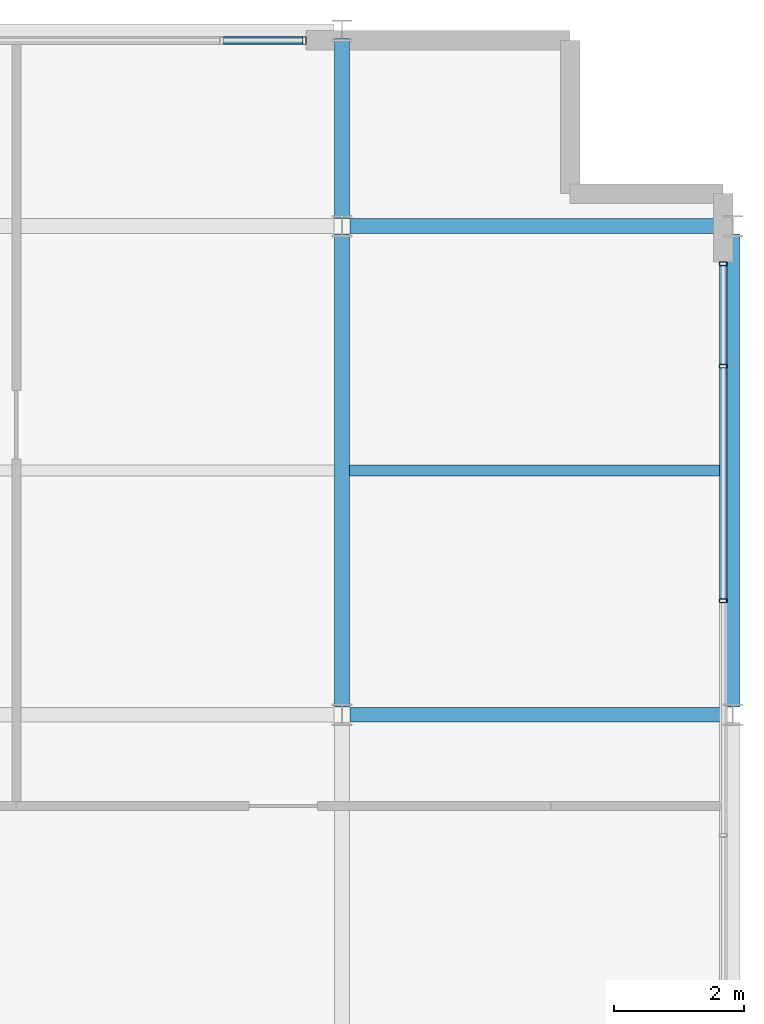
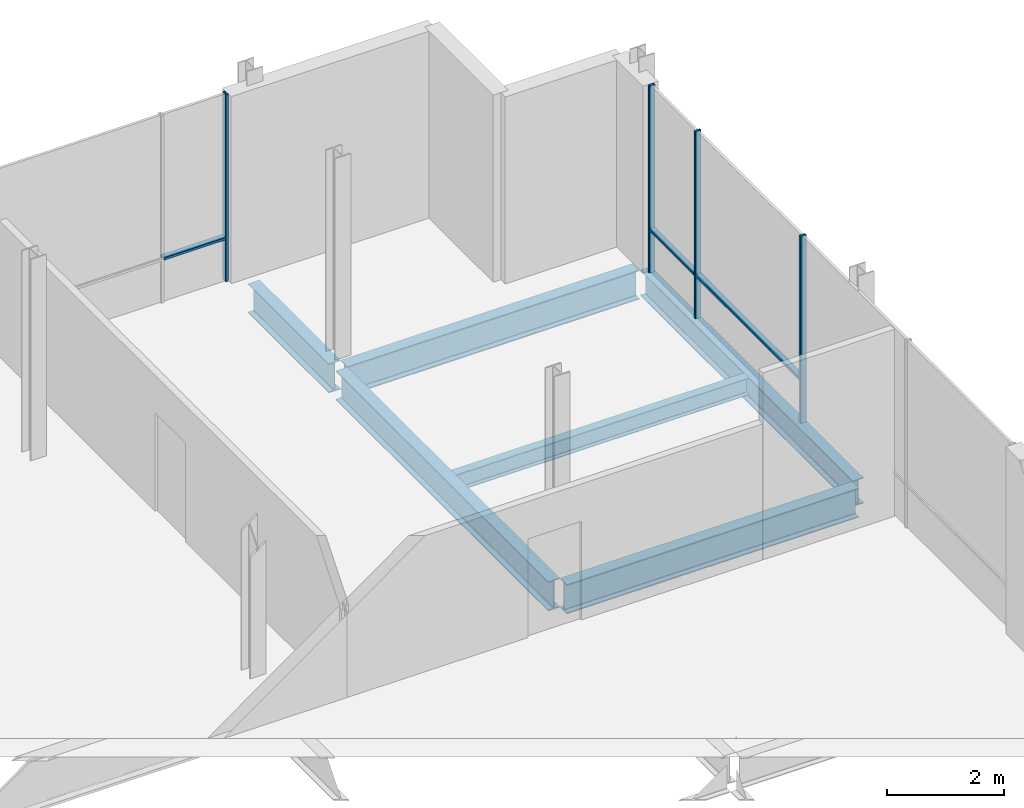
# One storey, part 8 of 11: 7 members, 6 beams, 2 elements without a shape of their own.
"""IFC4 building model written with IfcOpenShell, lengths in metres."""

from ifc_helpers import new_model, si_unit, direction, frame, origin, origin_2d, place, context, subcontext, project, spatial, hollow_rectangle, i_section, extrude, material, layer, layer_set, material_profile, profile_set, type_object, element, aggregate, save


model = new_model("IFC4")

# Units and contexts
model_context = context("Model", 3, precision=1e-05, world=origin(), true_north=direction((0.0, 1.0)))
body_context = subcontext(model_context, "Body", "Model", "MODEL_VIEW")
ifc_project = project(units=[si_unit("LENGTHUNIT", "METRE"), si_unit("AREAUNIT", "SQUARE_METRE"), si_unit("VOLUMEUNIT", "CUBIC_METRE"), si_unit("PLANEANGLEUNIT", "RADIAN"), si_unit("MASSUNIT", "GRAM", prefix="KILO")], contexts=[model_context])

# Site, building, storey
site_placement = place(None, origin())
site = spatial("IfcSite", under=ifc_project, at=site_placement, CompositionType="ELEMENT")
building_placement = place(site_placement, origin())
building = spatial("IfcBuilding", under=site, at=building_placement, Name="Brevholm Reach", CompositionType="ELEMENT")
storey_placement = place(building_placement, frame((0.0, 0.0, 247.25)))
storey = spatial("IfcBuildingStorey", under=building, at=storey_placement, Name="L75", CompositionType="ELEMENT", Elevation=247.25)

# Beams
ifc_material_1 = material(Name="Structural Steel S355J2", Category="steel")
ifc_material_profile_1 = material_profile(ifc_material_1, i_section(OverallWidth=0.17138671875, OverallDepth=0.35498046875, WebThickness=0.00732421875, FlangeThickness=0.011474609375, FilletRadius=0.01025390625, at=origin_2d()), Name="UKB 356x171x51")
ifc_profile_set_1 = profile_set([ifc_material_profile_1], Name="Structural Steel S355J2")
beam_type_1 = type_object("IfcBeamType", Name="BM-B356", PredefinedType="BEAM", material=ifc_profile_set_1)
beam_1_placement = place(storey_placement, frame((54.114501953125, 19.75, -0.4375), z_axis=(1.0, 0.0, 0.0), x_axis=(0.0, 1.0, 0.0)))
element("IfcBeam", 1, at=beam_1_placement, inside=storey, type_object=beam_type_1, Name="L75 Composite Secondary Floor Beam", PredefinedType="BEAM", context=body_context, shape_type="SweptSolid", body=[
    extrude(i_section(OverallWidth=0.17138671875, OverallDepth=0.35498046875, WebThickness=0.00732421875, FlangeThickness=0.011474609375, FilletRadius=0.01025390625, at=origin_2d()), origin(), (0.0, 0.0, 1.0), 5.780029296875),
])
ifc_material_2 = material(Name="Structural Steel S355J2", Category="steel")
ifc_material_profile_2 = material_profile(ifc_material_2, i_section(OverallWidth=0.210693359375, OverallDepth=0.53955078125, WebThickness=0.01171875, FlangeThickness=0.018798828125, FilletRadius=0.0126953125, at=origin_2d()), Name="UKB 533x210x109")
ifc_profile_set_2 = profile_set([ifc_material_profile_2], Name="Structural Steel S355J2")
beam_type_2 = type_object("IfcBeamType", Name="BM-SP539", PredefinedType="SPANDREL", material=ifc_profile_set_2)
beam_2_placement = place(storey_placement, frame((60.0, 16.1201171875, -0.52978515625), z_axis=(0.0, 1.0, 0.0), x_axis=(-1.0, 0.0, 0.0)))
element("IfcBeam", 2, at=beam_2_placement, inside=storey, type_object=beam_type_2, Name="L75 SP-01B Framing Beam", PredefinedType="SPANDREL", context=body_context, shape_type="SweptSolid", body=[
    extrude(i_section(OverallWidth=0.210693359375, OverallDepth=0.53955078125, WebThickness=0.01171875, FlangeThickness=0.018798828125, FilletRadius=0.0126953125, at=origin_2d()), origin(), (0.0, 0.0, 1.0), 7.259765625),
])
ifc_material_3 = material(Name="Structural Steel S355J2", Category="steel")
ifc_material_profile_3 = material_profile(ifc_material_3, i_section(OverallWidth=0.22900390625, OverallDepth=0.6123046875, WebThickness=0.011962890625, FlangeThickness=0.01953125, FilletRadius=0.0126953125, at=origin_2d()), Name="UKB 610x229x125")
ifc_profile_set_3 = profile_set([ifc_material_profile_3], Name="Structural Steel S355J2")
beam_type_3 = type_object("IfcBeamType", Name="BM-SP610", PredefinedType="SPANDREL", material=ifc_profile_set_3)
for number, where, z_axis, x_axis, name in (
    (3, (54.1201171875, 16.0, -0.566162109375), (1.0, 0.0, 0.0), (0.0, 1.0, 0.0), "L75 SP-01 Framing Beam"),
    (4, (54.1201171875, 23.5, -0.566162109375), (1.0, 0.0, 0.0), (0.0, 1.0, 0.0), "L75 SP-01 Framing Beam"),
):
    element("IfcBeam", number, at=place(storey_placement, frame(where, z_axis=z_axis, x_axis=x_axis)), inside=storey, type_object=beam_type_3, Name=name, PredefinedType="SPANDREL", context=body_context, shape_type="SweptSolid", body=[
        extrude(i_section(OverallWidth=0.22900390625, OverallDepth=0.6123046875, WebThickness=0.011962890625, FlangeThickness=0.01953125, FilletRadius=0.0126953125, at=origin_2d()), origin(), (0.0, 0.0, 1.0), 5.759765625),
    ])
beam_3_placement = place(storey_placement, frame((54.0, 16.1201171875, -0.566162109375), z_axis=(0.0, 1.0, 0.0), x_axis=(-1.0, 0.0, 0.0)))
element("IfcBeam", 5, at=beam_3_placement, inside=storey, type_object=beam_type_3, Name="L75 SP-01 Framing Beam", PredefinedType="SPANDREL", context=body_context, shape_type="SweptSolid", body=[
    extrude(i_section(OverallWidth=0.22900390625, OverallDepth=0.6123046875, WebThickness=0.011962890625, FlangeThickness=0.01953125, FilletRadius=0.0126953125, at=origin_2d()), origin(), (0.0, 0.0, 1.0), 7.259765625),
])
beam_4_placement = place(storey_placement, frame((54.0, 23.6201171875, -0.566162109375), z_axis=(0.0, 1.0, 0.0), x_axis=(-1.0, 0.0, 0.0)))
element("IfcBeam", 6, at=beam_4_placement, inside=storey, type_object=beam_type_3, Name="L75 SP-01 Framing Beam", PredefinedType="SPANDREL", context=body_context, shape_type="SweptSolid", body=[
    extrude(i_section(OverallWidth=0.22900390625, OverallDepth=0.6123046875, WebThickness=0.011962890625, FlangeThickness=0.01953125, FilletRadius=0.0126953125, at=origin_2d()), origin(), (0.0, 0.0, 1.0), 2.759765625),
])

# Curtain wall, members
ifc_material_4 = material(Name="Dark Anodised Aluminium 6063-T6 and Solar-Control Glass", Category="aluminium")
ifc_layer = layer(ifc_material_4, 0.1201171875)
ifc_layer_set = layer_set([ifc_layer], Name="Dark Anodised Aluminium 6063-T6 and Solar-Control Glass")
curtain_wall_type = type_object("IfcCurtainWallType", Name="CW-06", PredefinedType="NOTDEFINED", material=ifc_layer_set)
curtain_wall_1_placement = place(storey_placement, origin())
curtain_wall_1 = element("IfcCurtainWall", 7, at=curtain_wall_1_placement, inside=storey, type_object=curtain_wall_type, Name="L75 Curtain Wall CW-06", PredefinedType="NOTDEFINED")
ifc_material_5 = material(Name="Dark Anodised Aluminium 6063-T6", Category="aluminium")
ifc_material_profile_4 = material_profile(ifc_material_5, hollow_rectangle(XDim=0.054931640625, YDim=0.1201171875, WallThickness=0.00390625, InnerFilletRadius=0.00390625, OuterFilletRadius=0.008056640625, at=origin_2d()), Name="RHS 120x55x4")
ifc_profile_set_4 = profile_set([ifc_material_profile_4], Name="Dark Anodised Aluminium 6063-T6")
member_type_1 = type_object("IfcMemberType", Name="CWM-120", PredefinedType="MULLION", material=ifc_profile_set_4)
member_1_placement = place(storey_placement, frame((59.85009765625, 17.75, 0.0), z_axis=(0.0, 0.0, 1.0), x_axis=(0.0, 1.0, 0.0)))
member_1 = element("IfcMember", 8, at=member_1_placement, type_object=member_type_1, Name="CM-120 Mullion 3", PredefinedType="MULLION", context=body_context, shape_type="SweptSolid", body=[
    extrude(hollow_rectangle(XDim=0.054931640625, YDim=0.1201171875, WallThickness=0.00390625, InnerFilletRadius=0.00390625, OuterFilletRadius=0.008056640625, at=origin_2d()), origin(), (0.0, 0.0, 1.0), 3.89990234375),
])
member_2_placement = place(storey_placement, frame((59.85009765625, 21.35009765625, 0.0), z_axis=(0.0, 0.0, 1.0), x_axis=(0.0, 1.0, 0.0)))
member_2 = element("IfcMember", 9, at=member_2_placement, type_object=member_type_1, Name="CM-120 Mullion 4", PredefinedType="MULLION", context=body_context, shape_type="SweptSolid", body=[
    extrude(hollow_rectangle(XDim=0.054931640625, YDim=0.1201171875, WallThickness=0.00390625, InnerFilletRadius=0.00390625, OuterFilletRadius=0.008056640625, at=origin_2d()), origin(), (0.0, 0.0, 1.0), 3.89990234375),
])
member_3_placement = place(storey_placement, frame((59.85009765625, 22.922607421875, 0.0), z_axis=(0.0, 0.0, 1.0), x_axis=(0.0, 1.0, 0.0)))
member_3 = element("IfcMember", 10, at=member_3_placement, type_object=member_type_1, Name="CM-120 Mullion 5", PredefinedType="MULLION", context=body_context, shape_type="SweptSolid", body=[
    extrude(hollow_rectangle(XDim=0.054931640625, YDim=0.1201171875, WallThickness=0.00390625, InnerFilletRadius=0.00390625, OuterFilletRadius=0.008056640625, at=origin_2d()), origin(), (0.0, 0.0, 1.0), 3.89990234375),
])

# Curtain wall, member
curtain_wall_2_placement = place(storey_placement, origin())
curtain_wall_2 = element("IfcCurtainWall", 11, at=curtain_wall_2_placement, inside=storey, type_object=curtain_wall_type, Name="L75 Curtain Wall CW-06", PredefinedType="NOTDEFINED")
member_4_placement = place(storey_placement, frame((53.422607421875, 26.35009765625, 0.0), z_axis=(0.0, 0.0, 1.0), x_axis=(1.0, 0.0, 0.0)))
member_4 = element("IfcMember", 12, at=member_4_placement, type_object=member_type_1, Name="CM-120 Mullion 3", PredefinedType="MULLION", context=body_context, shape_type="SweptSolid", body=[
    extrude(hollow_rectangle(XDim=0.054931640625, YDim=0.1201171875, WallThickness=0.00390625, InnerFilletRadius=0.00390625, OuterFilletRadius=0.008056640625, at=origin_2d()), origin(), (0.0, 0.0, 1.0), 3.89990234375),
])

# Member
ifc_material_6 = material(Name="Dark Anodised Aluminium 6063-T6", Category="aluminium")
ifc_material_profile_5 = material_profile(ifc_material_6, hollow_rectangle(XDim=0.054931640625, YDim=0.1201171875, WallThickness=0.00390625, InnerFilletRadius=0.00390625, OuterFilletRadius=0.008056640625, at=origin_2d()), Name="RHS 120x55x4")
ifc_profile_set_5 = profile_set([ifc_material_profile_5], Name="Dark Anodised Aluminium 6063-T6")
member_type_2 = type_object("IfcMemberType", Name="CWT-120", PredefinedType="NOTDEFINED", material=ifc_profile_set_5)
member_5_placement = place(storey_placement, frame((59.85009765625, 17.777587890625, 0.89990234375), z_axis=(0.0, 1.0, 0.0), x_axis=(0.0, 0.0, 1.0)))
member_5 = element("IfcMember", 13, at=member_5_placement, type_object=member_type_2, Name="CT-120 Transom 3.1", ObjectType="TRANSOM", PredefinedType="USERDEFINED", context=body_context, shape_type="SweptSolid", body=[
    extrude(hollow_rectangle(XDim=0.054931640625, YDim=0.1201171875, WallThickness=0.00390625, InnerFilletRadius=0.00390625, OuterFilletRadius=0.008056640625, at=origin_2d()), origin(), (0.0, 0.0, 1.0), 3.544921875),
])

member_6_placement = place(storey_placement, frame((59.85009765625, 21.37744140625, 0.89990234375), z_axis=(0.0, 1.0, 0.0), x_axis=(0.0, 0.0, 1.0)))
member_6 = element("IfcMember", 14, at=member_6_placement, type_object=member_type_2, Name="CT-120 Transom 4.1", ObjectType="TRANSOM", PredefinedType="USERDEFINED", context=body_context, shape_type="SweptSolid", body=[
    extrude(hollow_rectangle(XDim=0.054931640625, YDim=0.1201171875, WallThickness=0.00390625, InnerFilletRadius=0.00390625, OuterFilletRadius=0.008056640625, at=origin_2d()), origin(), (0.0, 0.0, 1.0), 1.517578125),
])

aggregate(curtain_wall_1, [member_1, member_2, member_3, member_5, member_6])

member_7_placement = place(storey_placement, frame((52.177490234375, 26.35009765625, 0.89990234375), z_axis=(1.0, 0.0, 0.0), x_axis=(0.0, 0.0, 1.0)))
member_7 = element("IfcMember", 15, at=member_7_placement, type_object=member_type_2, Name="CT-120 Transom 2.1", ObjectType="TRANSOM", PredefinedType="USERDEFINED", context=body_context, shape_type="SweptSolid", body=[
    extrude(hollow_rectangle(XDim=0.054931640625, YDim=0.1201171875, WallThickness=0.00390625, InnerFilletRadius=0.00390625, OuterFilletRadius=0.008056640625, at=origin_2d()), origin(), (0.0, 0.0, 1.0), 1.217529296875),
])

aggregate(curtain_wall_2, [member_4, member_7])

save(model, "model.ifc")
